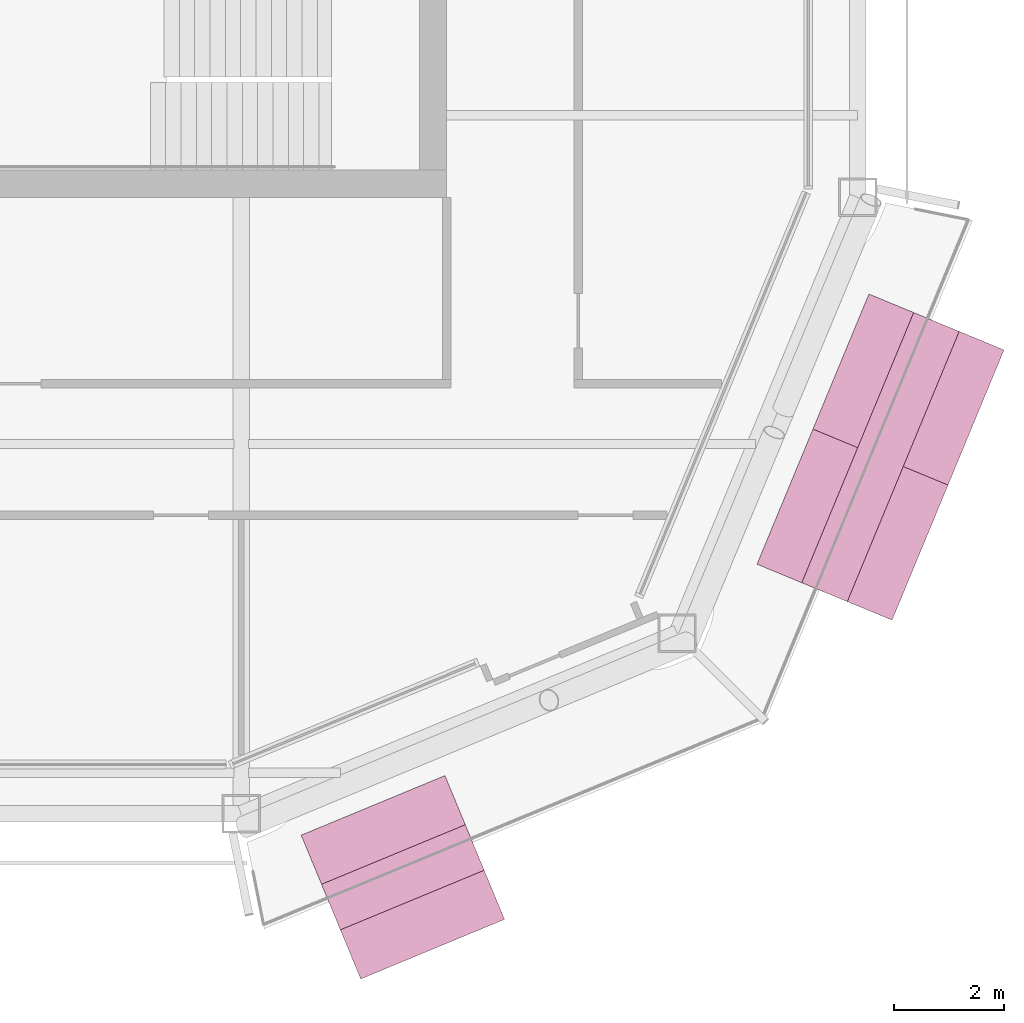
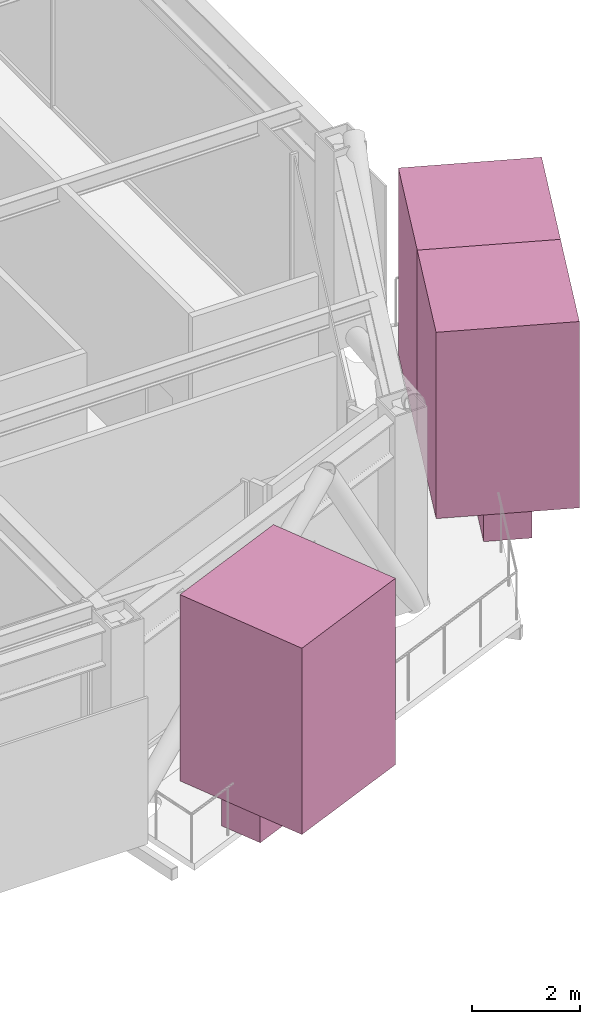
# One storey, part 21 of 21: 5 furnishings.
"""IFC4 building model written with IfcOpenShell, lengths in metres."""

import ifcopenshell
import ifcopenshell.guid

model = None  # the IFC model being written
_history = None  # IfcOwnerHistory: only IFC2X3 demands one
_inside = {}  # id of a spatial element -> (the spatial element, [elements in it])
_under = {}  # id of a project, library or spatial element -> (it, [spatial elements below it])
_declared = {}  # id of a project -> (the project, [libraries it declares])
_typed = {}  # id of a type object -> (the type object, [elements of that type])
_made_of = {}  # id of a material, layer set ... -> (it, [elements and type objects made of it])


def new_model(schema):
    """Start an empty IFC model of exactly this schema.

    Asked for "IFC4X3", IfcOpenShell would pick the latest addendum, in which some entities
    have other attributes; the version numbers below select the first issue.
    IFC2X3 requires an IfcOwnerHistory on every rooted entity: one is made here for all.
    """
    global model, _history
    if schema == "IFC4X3":
        model = ifcopenshell.file(schema_version=(4, 3, 0, 0))
    else:
        model = ifcopenshell.file(schema=schema)
    _inside.clear()
    _under.clear()
    _declared.clear()
    _typed.clear()
    _made_of.clear()
    _history = None
    if model.schema == "IFC2X3":
        org = make("IfcOrganization", Name="unknown")
        user = make(
            "IfcPersonAndOrganization",
            ThePerson=make("IfcPerson", FamilyName="unknown"),
            TheOrganization=org,
        )
        app = make(
            "IfcApplication",
            ApplicationDeveloper=org,
            Version="unknown",
            ApplicationFullName="unknown",
            ApplicationIdentifier="unknown",
        )
        _history = make(
            "IfcOwnerHistory",
            OwningUser=user,
            OwningApplication=app,
            ChangeAction="ADDED",
            CreationDate=0,
        )
    return model


def make(cls, **values):
    """One entity of the class cls with the attributes given. An attribute that is None is left unset."""
    return model.create_entity(
        cls, **{name: value for name, value in values.items() if value is not None}
    )


def rooted(cls, **values):
    """An entity with a GlobalId (a new one), such as an element, a storey or a relation."""
    return make(cls, GlobalId=ifcopenshell.guid.new(), OwnerHistory=_history, **values)


def si_unit(unit_type, name, prefix=None):
    """IfcSIUnit, for example si_unit("LENGTHUNIT", "METRE", prefix="MILLI")."""
    return make("IfcSIUnit", UnitType=unit_type, Prefix=prefix, Name=name)


def assignment(units):
    """IfcUnitAssignment: the units of a project."""
    return None if units is None else make("IfcUnitAssignment", Units=units)


def point(xyz):
    """IfcCartesianPoint."""
    return None if xyz is None else make("IfcCartesianPoint", Coordinates=xyz)


def direction(xyz):
    """IfcDirection."""
    return None if xyz is None else make("IfcDirection", DirectionRatios=xyz)


def frame(location, z_axis=None, x_axis=None):
    """IfcAxis2Placement3D, a coordinate frame: its origin and axes. An axis left out is left unset."""
    return make(
        "IfcAxis2Placement3D",
        Location=point(location),
        Axis=direction(z_axis),
        RefDirection=direction(x_axis),
    )


def frame_2d(location, x_axis=None):
    """IfcAxis2Placement2D, a coordinate frame in the plane: its origin and x axis."""
    return make(
        "IfcAxis2Placement2D", Location=point(location), RefDirection=direction(x_axis)
    )


def origin():
    """The frame at (0, 0, 0) with its axes left unset."""
    return frame((0.0, 0.0, 0.0))


def origin_2d():
    """The frame at (0, 0) in the plane with its x axis left unset."""
    return frame_2d((0.0, 0.0))


def place(relative_to, where):
    """IfcLocalPlacement: puts the frame where relative to a parent placement (None: the world)."""
    return make(
        "IfcLocalPlacement", PlacementRelTo=relative_to, RelativePlacement=where
    )


def context(
    kind, dimensions, precision=None, world=None, true_north=None, identifier=None
):
    """IfcGeometricRepresentationContext, for example the 3D "Model" context."""
    return make(
        "IfcGeometricRepresentationContext",
        ContextIdentifier=identifier,
        ContextType=kind,
        CoordinateSpaceDimension=dimensions,
        Precision=precision,
        WorldCoordinateSystem=world,
        TrueNorth=true_north,
    )


def subcontext(parent, identifier, kind, view, scale=None):
    """IfcGeometricRepresentationSubContext, for example "Body" below "Model"."""
    return make(
        "IfcGeometricRepresentationSubContext",
        ContextIdentifier=identifier,
        ContextType=kind,
        ParentContext=parent,
        TargetScale=scale,
        TargetView=view,
    )


def project(units=None, contexts=None):
    """IfcProject with its units and contexts."""
    return rooted(
        "IfcProject",
        Name="project",
        RepresentationContexts=contexts,
        UnitsInContext=assignment(units),
    )


def spatial(cls, under=None, at=None, **own):
    """A site, building, storey or space (cls), placed at a placement, below another one or the project."""
    s = rooted(cls, ObjectPlacement=at, **own)
    if under is not None:
        _under.setdefault(under.id(), (under, []))[1].append(s)
    return s


def profile(cls, at=None, kind="AREA", **sizes):
    """A parametric profile (cls). Its sizes go by their IFC names, for example OverallWidth=200.0."""
    return make(cls, ProfileType=kind, Position=at, **sizes)


def rectangle(**sizes):
    """IfcRectangleProfileDef."""
    return profile("IfcRectangleProfileDef", **sizes)


def extrude(swept, where, along, depth):
    """IfcExtrudedAreaSolid: the profile swept, set in the frame where, extruded along a direction by depth."""
    return make(
        "IfcExtrudedAreaSolid",
        SweptArea=swept,
        Position=where,
        ExtrudedDirection=direction(along),
        Depth=depth,
    )


def shape(context_of_items, identifier, shape_type, items):
    """IfcShapeRepresentation: the items that make up one representation, for example the "Body"."""
    return make(
        "IfcShapeRepresentation",
        ContextOfItems=context_of_items,
        RepresentationIdentifier=identifier,
        RepresentationType=shape_type,
        Items=items,
    )


def material(Name=None, Category=None):
    """IfcMaterial."""
    return make("IfcMaterial", Name=Name, Category=Category)


def made_of(thing, what):
    """Note that an element or type object is made of a material, layer set ...; save() writes the relation."""
    if what is not None:
        _made_of.setdefault(what.id(), (what, []))[1].append(thing)
    return thing


def type_object(cls, material=None, **own):
    """A type object (cls), such as IfcWallType, which elements share."""
    return made_of(rooted(cls, **own), material)


def element(
    cls,
    number,
    at=None,
    inside=None,
    cuts=None,
    type_object=None,
    material=None,
    context=None,
    identifier="Body",
    shape_type=None,
    held_by="IfcProductDefinitionShape",
    body=None,
    shapes=None,
    **own,
):
    """One element of the class cls, such as IfcWall. Its Tag is "e" and its number.

    at: its placement. inside: the storey or other place that contains it. cuts: it is an
    opening in that element (IfcRelVoidsElement). A single representation is given by context,
    identifier, shape_type and body (its items); several are given by shapes. held_by: the class
    of the entity that holds the representations. save() writes the other relations.
    """
    e = rooted(cls, Tag="e%d" % number, ObjectPlacement=at, **own)
    if body is not None:
        shapes = [shape(context, identifier, shape_type, body)]
    if shapes is not None:
        e.Representation = make(held_by, Representations=shapes)
    if inside is not None:
        _inside.setdefault(inside.id(), (inside, []))[1].append(e)
    if cuts is not None:
        rooted(
            "IfcRelVoidsElement", RelatingBuildingElement=cuts, RelatedOpeningElement=e
        )
    if type_object is not None:
        _typed.setdefault(type_object.id(), (type_object, []))[1].append(e)
    return made_of(e, material)


def aggregate(whole, parts):
    """IfcRelAggregates: a whole, such as a stair, and the parts it consists of."""
    return rooted("IfcRelAggregates", RelatingObject=whole, RelatedObjects=parts)


def save(model, path):
    """Write the relations noted so far, then the file.

    IfcRelAggregates (storeys below a building ...), IfcRelContainedInSpatialStructure (elements
    in a storey), IfcRelDefinesByType, IfcRelAssociatesMaterial and IfcRelDeclares: one each for
    every whole, place, type object, material and project.
    """
    for whole, parts in _under.values():
        aggregate(whole, parts)
    for where, things in _inside.values():
        rooted(
            "IfcRelContainedInSpatialStructure",
            RelatedElements=things,
            RelatingStructure=where,
        )
    for kind, things in _typed.values():
        rooted("IfcRelDefinesByType", RelatedObjects=things, RelatingType=kind)
    for what, things in _made_of.values():
        rooted("IfcRelAssociatesMaterial", RelatedObjects=things, RelatingMaterial=what)
    for by, libraries in _declared.values():
        rooted("IfcRelDeclares", RelatingContext=by, RelatedDefinitions=libraries)
    model.write(path)


model = new_model("IFC4")

# Units and contexts
model_context = context("Model", 3, precision=1e-05, world=origin(), true_north=direction((0.0, 1.0)))
body_context = subcontext(model_context, "Body", "Model", "MODEL_VIEW")
ifc_project = project(units=[si_unit("LENGTHUNIT", "METRE"), si_unit("AREAUNIT", "SQUARE_METRE"), si_unit("VOLUMEUNIT", "CUBIC_METRE"), si_unit("PLANEANGLEUNIT", "RADIAN"), si_unit("MASSUNIT", "GRAM", prefix="KILO")], contexts=[model_context])

# Site, building, storey
site_placement = place(None, origin())
site = spatial("IfcSite", under=ifc_project, at=site_placement, CompositionType="ELEMENT")
building_placement = place(site_placement, origin())
building = spatial("IfcBuilding", under=site, at=building_placement, Name="Siwar Civic Tower", CompositionType="ELEMENT")
storey_placement = place(building_placement, frame((0.0, 0.0, 339.199951171875)))
storey = spatial("IfcBuildingStorey", under=building, at=storey_placement, Name="L73", CompositionType="ELEMENT", Elevation=339.199951171875)

# Furnishings
ifc_material_1 = material(Name="Planting soil and foliage")
furnishing_element_type_1 = type_object("IfcFurnishingElementType", Name="ENV-PLANTER", material=ifc_material_1)
furnishing_1_placement = place(storey_placement, frame((16.449951171875, -25.909423828125, 0.0), z_axis=(0.0, 0.0, 1.0), x_axis=(0.923879532511, 0.382683432365, 0.0)))
element("IfcFurnishingElement", 1, at=furnishing_1_placement, inside=storey, type_object=furnishing_element_type_1, Name="PLANTER SE 1", context=body_context, shape_type="SweptSolid", body=[
    extrude(rectangle(XDim=2.84130859375, YDim=0.89990234375, at=origin_2d()), origin(), (0.0, 0.0, 1.0), 0.60009765625),
])
furnishing_2_placement = place(storey_placement, frame((25.16796875, -18.23974609375, 0.0), z_axis=(0.0, 0.0, 1.0), x_axis=(0.382683432365, 0.923879532511, 0.0)))
element("IfcFurnishingElement", 2, at=furnishing_2_placement, inside=storey, type_object=furnishing_element_type_1, Name="PLANTER SE 2", context=body_context, shape_type="SweptSolid", body=[
    extrude(rectangle(XDim=5.33837890625, YDim=0.89990234375, at=origin_2d()), origin(), (0.0, 0.0, 1.0), 0.60009765625),
])
ifc_material_2 = material(Name="Planting soil and foliage")
furnishing_element_type_2 = type_object("IfcFurnishingElementType", Name="ENV-TREE", material=ifc_material_2)
furnishing_3_placement = place(storey_placement, frame((16.449951171875, -25.909423828125, 0.60009765625), z_axis=(0.0, 0.0, 1.0), x_axis=(0.923879532511, 0.382683432365, 0.0)))
element("IfcFurnishingElement", 3, at=furnishing_3_placement, inside=storey, type_object=furnishing_element_type_2, Name="PLANTER (TREE) SE 1.1", context=body_context, shape_type="SweptSolid", body=[
    extrude(rectangle(XDim=2.84130859375, YDim=2.84130859375, at=origin_2d()), origin(), (0.0, 0.0, 1.0), 4.199951171875),
])
for number, where, z_axis, x_axis, name in (
    (4, (24.6572265625, -19.472900390625, 0.60009765625), (0.0, 0.0, 1.0), (0.382683432365, 0.923879532511, 0.0), "PLANTER (TREE) SE 2.1"),
    (5, (25.6787109375, -17.0068359375, 0.60009765625), (0.0, 0.0, 1.0), (0.382683432365, 0.923879532511, 0.0), "PLANTER (TREE) SE 2.2"),
):
    element("IfcFurnishingElement", number, at=place(storey_placement, frame(where, z_axis=z_axis, x_axis=x_axis)), inside=storey, type_object=furnishing_element_type_2, Name=name, context=body_context, shape_type="SweptSolid", body=[
        extrude(rectangle(XDim=2.669189453125, YDim=2.669189453125, at=origin_2d()), origin(), (0.0, 0.0, 1.0), 4.199951171875),
    ])

save(model, "model.ifc")
